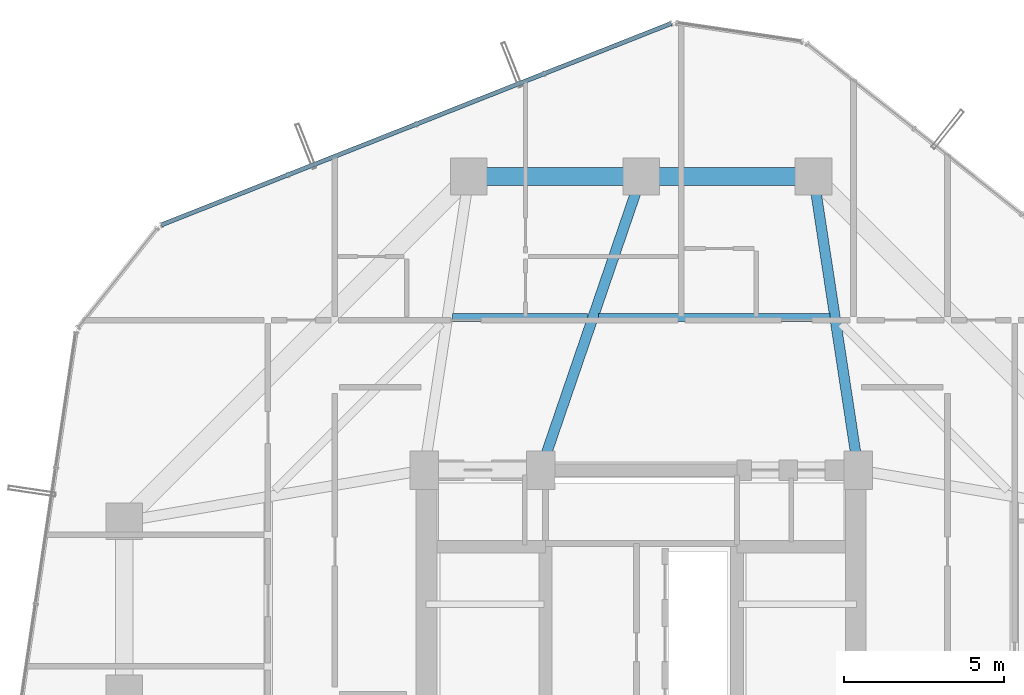
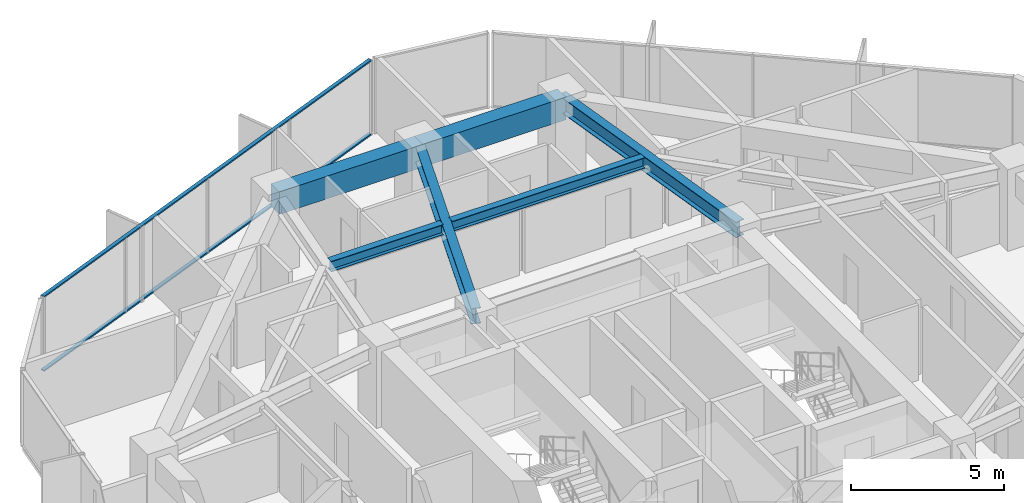
# One storey, part 20 of 29: 6 beams, 2 members, 1 element without a shape of its own.
"""IFC4 building model written with IfcOpenShell, lengths in metres."""

from ifc_helpers import new_model, si_unit, direction, frame, origin, origin_2d, place, context, subcontext, project, spatial, rectangle, hollow_rectangle, i_section, extrude, source, transform, mapped, material, layer, layer_set, material_profile, profile_set, type_object, element, aggregate, save


model = new_model("IFC4")

# Units and contexts
model_context = context("Model", 3, precision=1e-05, world=origin(), true_north=direction((0.0, 1.0)))
body_context = subcontext(model_context, "Body", "Model", "MODEL_VIEW")
ifc_project = project(units=[si_unit("LENGTHUNIT", "METRE"), si_unit("AREAUNIT", "SQUARE_METRE"), si_unit("VOLUMEUNIT", "CUBIC_METRE"), si_unit("PLANEANGLEUNIT", "RADIAN"), si_unit("MASSUNIT", "GRAM", prefix="KILO")], contexts=[model_context])

# Site, building, storey
site_placement = place(None, origin())
site = spatial("IfcSite", under=ifc_project, at=site_placement, CompositionType="ELEMENT")
building_placement = place(site_placement, origin())
building = spatial("IfcBuilding", under=site, at=building_placement, Name="Veraguas Prism Commons", CompositionType="ELEMENT")
storey_placement = place(building_placement, frame((0.0, 0.0, 99.199951171875)))
storey = spatial("IfcBuildingStorey", under=building, at=storey_placement, Name="L27", CompositionType="ELEMENT", Elevation=99.199951171875)

# Beams
ifc_material_1 = material(Name="Steel ASTM A992 Grade 50", Category="steel")
ifc_material_profile_1 = material_profile(ifc_material_1, i_section(OverallWidth=0.260986328125, OverallDepth=0.419921875, WebThickness=0.01171875, FlangeThickness=0.019287109375, at=origin_2d()), Name="W410X114")
ifc_profile_set_1 = profile_set([ifc_material_profile_1], Name="Steel ASTM A992 Grade 50")
beam_type_1 = type_object("IfcBeamType", Name="Lower Floor Joist W410x114", PredefinedType="JOIST", material=ifc_profile_set_1)
beam_1_placement = place(storey_placement, frame((29.908203125, 35.783935546875, 2.7900390625), z_axis=(-1.0, 0.0, 0.0), x_axis=(0.0, -1.0, 0.0)))
element("IfcBeam", 1, at=beam_1_placement, inside=storey, type_object=beam_type_1, Name="Composite Floor Joist L27-JS04", PredefinedType="JOIST", context=body_context, shape_type="SweptSolid", body=[
    extrude(i_section(OverallWidth=0.260986328125, OverallDepth=0.419921875, WebThickness=0.01171875, FlangeThickness=0.019287109375, at=origin_2d()), origin(), (0.0, 0.0, 1.0), 7.2490234375),
])
beam_2_placement = place(storey_placement, frame((22.31689453125, 35.783935546875, 2.7900390625), z_axis=(-1.0, 0.0, 0.0), x_axis=(0.0, -1.0, 0.0)))
element("IfcBeam", 2, at=beam_2_placement, inside=storey, type_object=beam_type_1, Name="Composite Floor Joist L27-JS05", PredefinedType="JOIST", context=body_context, shape_type="SweptSolid", body=[
    extrude(i_section(OverallWidth=0.260986328125, OverallDepth=0.419921875, WebThickness=0.01171875, FlangeThickness=0.019287109375, at=origin_2d()), origin(), (0.0, 0.0, 1.0), 4.22509765625),
])
ifc_material_2 = material(Name="Concrete C50/60", Category="concrete")
ifc_material_profile_2 = material_profile(ifc_material_2, rectangle(XDim=0.550048828125, YDim=0.89990234375, at=origin_2d()), Name="RC550X900")
ifc_profile_set_2 = profile_set([ifc_material_profile_2], Name="Concrete C50/60")
beam_type_2 = type_object("IfcBeamType", Name="Perimeter Spandrel Lower RC 550x900", PredefinedType="SPANDREL", material=ifc_profile_set_2)
for number, where, z_axis, x_axis, name in (
    (3, (29.39990234375, 40.199951171875, 2.550048828125), (-1.0, 0.0, 0.0), (0.0, -1.0, 0.0), "Perimeter Spandrel Beam L27-SP04"),
    (4, (24.0, 40.199951171875, 2.550048828125), (-1.0, 0.0, 0.0), (0.0, -1.0, 0.0), "Perimeter Spandrel Beam L27-SP05"),
):
    element("IfcBeam", number, at=place(storey_placement, frame(where, z_axis=z_axis, x_axis=x_axis)), inside=storey, type_object=beam_type_2, Name=name, PredefinedType="SPANDREL", context=body_context, shape_type="SweptSolid", body=[
        extrude(rectangle(XDim=0.550048828125, YDim=0.89990234375, at=origin_2d()), origin(), (0.0, 0.0, 1.0), 5.39990234375),
    ])
ifc_material_profile_3 = material_profile(ifc_material_1, i_section(OverallWidth=0.327880859375, OverallDepth=0.6220703125, WebThickness=0.015380859375, FlangeThickness=0.0244140625, at=origin_2d()), Name="W610X195")
ifc_profile_set_3 = profile_set([ifc_material_profile_3], Name="Steel ASTM A992 Grade 50")
beam_type_3 = type_object("IfcBeamType", Name="Zone 2 Radial Girder W610x195", PredefinedType="BEAM", material=ifc_profile_set_3)
beam_3_placement = place(storey_placement, frame((29.39990234375, 40.199951171875, 2.68896484375), z_axis=(0.150458162136, -0.98861637729, 0.0), x_axis=(0.98861637729, 0.150458162136, 0.0)))
element("IfcBeam", 5, at=beam_3_placement, inside=storey, type_object=beam_type_3, Name="Radial Floor Girder L27-RD04", PredefinedType="BEAM", context=body_context, shape_type="SweptSolid", body=[
    extrude(i_section(OverallWidth=0.327880859375, OverallDepth=0.6220703125, WebThickness=0.015380859375, FlangeThickness=0.0244140625, at=origin_2d()), origin(), (0.0, 0.0, 1.0), 9.305908203125),
])
beam_4_placement = place(storey_placement, frame((24.0, 40.199951171875, 2.68896484375), z_axis=(-0.323922482989, -0.946083624747, 0.0), x_axis=(0.946083624747, -0.323922482989, 0.0)))
element("IfcBeam", 6, at=beam_4_placement, inside=storey, type_object=beam_type_3, Name="Radial Floor Girder L27-RD05", PredefinedType="BEAM", context=body_context, shape_type="SweptSolid", body=[
    extrude(i_section(OverallWidth=0.327880859375, OverallDepth=0.6220703125, WebThickness=0.015380859375, FlangeThickness=0.0244140625, at=origin_2d()), origin(), (0.0, 0.0, 1.0), 9.724365234375),
])

# Curtain wall, members
ifc_material_3 = material(Name="Anodised aluminium EN AW-6063 T6", Category="aluminium")
ifc_layer = layer(ifc_material_3, 0.169921875, Name="Unitised Flush Curtain Wall Zone 2", Category="aluminium")
ifc_layer_set = layer_set([ifc_layer], Name="Anodised aluminium EN AW-6063 T6")
curtain_wall_type = type_object("IfcCurtainWallType", Name="Unitised Flush Curtain Wall Zone 2", PredefinedType="NOTDEFINED", material=ifc_layer_set)
curtain_wall_placement = place(storey_placement, origin())
curtain_wall = element("IfcCurtainWall", 7, at=curtain_wall_placement, inside=storey, type_object=curtain_wall_type, Name="Tower Facade Curtain Wall L27-F2", PredefinedType="NOTDEFINED")
ifc_material_profile_4 = material_profile(ifc_material_3, hollow_rectangle(XDim=0.054931640625, YDim=0.135009765625, WallThickness=0.0029296875, at=origin_2d()), Name="AL55X135X3")
ifc_profile_set_4 = profile_set([ifc_material_profile_4], Name="Anodised aluminium EN AW-6063 T6")
member_type = type_object("IfcMemberType", Name="Curtain Wall Transom Standard AL 55x135x3", PredefinedType="USERDEFINED", material=ifc_profile_set_4)
shared_shape = source(origin(), body_context, "Body", "SweptSolid", [
    extrude(hollow_rectangle(XDim=0.054931640625, YDim=0.135009765625, WallThickness=0.0029296875, at=origin_2d()), origin(), (0.0, 0.0, 1.0), 17.17431640625),
])
member_1_placement = place(storey_placement, frame((24.937255859375, 44.99609375, 0.027587890625), z_axis=(-0.930030218195, -0.367483051641, 0.0), x_axis=(0.0, 0.0, 1.0)))
member_1 = element("IfcMember", 8, at=member_1_placement, type_object=member_type, Name="CW-Z2 Transom 1", ObjectType="TRANSOM", PredefinedType="USERDEFINED", context=body_context, shape_type="MappedRepresentation", body=[
    mapped(shared_shape, transform((0.0, 0.0, 0.0), scale=1.0)),
])
member_2_placement = place(storey_placement, frame((24.937255859375, 44.99609375, 2.97265625), z_axis=(-0.930030218195, -0.367483051641, 0.0), x_axis=(0.0, 0.0, 1.0)))
member_2 = element("IfcMember", 9, at=member_2_placement, type_object=member_type, Name="CW-Z2 Transom 2", ObjectType="TRANSOM", PredefinedType="USERDEFINED", context=body_context, shape_type="MappedRepresentation", body=[
    mapped(shared_shape, transform((0.0, 0.0, 0.0), scale=1.0)),
])
aggregate(curtain_wall, [member_1, member_2])

save(model, "model.ifc")
